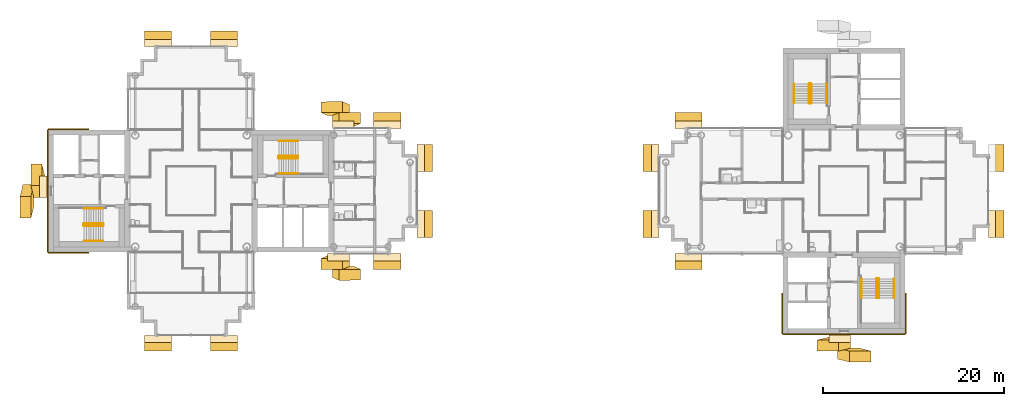
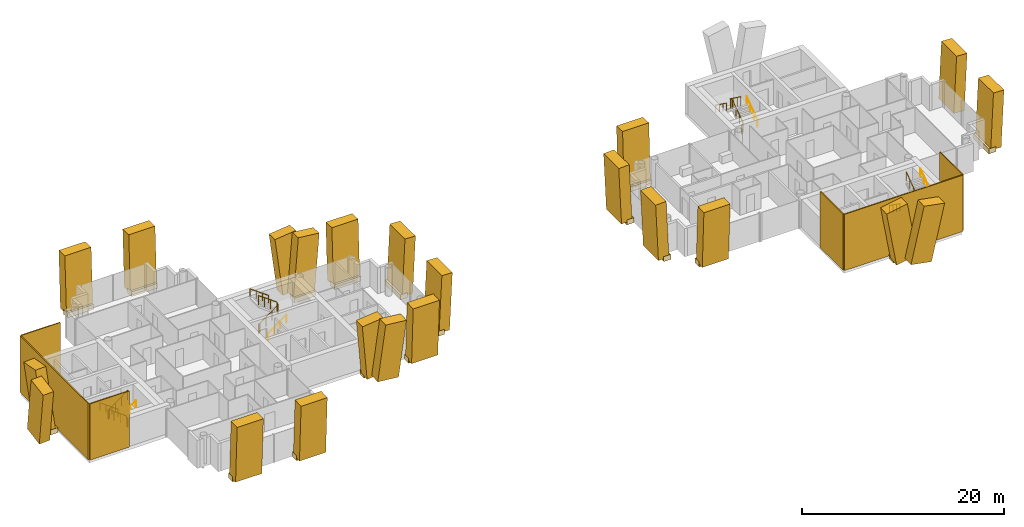
# One storey, part 16 of 18: 45 coverings, 12 railings.
"""IFC4 building model written with IfcOpenShell, lengths in metres."""

from ifc_helpers import new_model, si_unit, direction, frame, origin, origin_2d, place, context, subcontext, project, spatial, rectangle, circle, extrude, material, layer, layer_set, material_profile, profile_set, type_object, element, save


model = new_model("IFC4")

# Units and contexts
model_context = context("Model", 3, precision=1e-05, world=origin(), true_north=direction((0.0, 1.0)))
body_context = subcontext(model_context, "Body", "Model", "MODEL_VIEW")
ifc_project = project(units=[si_unit("LENGTHUNIT", "METRE"), si_unit("AREAUNIT", "SQUARE_METRE"), si_unit("VOLUMEUNIT", "CUBIC_METRE"), si_unit("PLANEANGLEUNIT", "RADIAN"), si_unit("MASSUNIT", "GRAM", prefix="KILO")], contexts=[model_context])

# Site, building, storey
site_placement = place(None, origin())
site = spatial("IfcSite", under=ifc_project, at=site_placement, CompositionType="ELEMENT")
building_placement = place(site_placement, origin())
building = spatial("IfcBuilding", under=site, at=building_placement, Name="Ipe Terrace Towers", CompositionType="ELEMENT")
storey_placement = place(building_placement, frame((0.0, 0.0, 209.60009765625)))
storey = spatial("IfcBuildingStorey", under=building, at=storey_placement, Name="L58", CompositionType="ELEMENT", Elevation=209.60009765625)

# Coverings
ifc_material_1 = material(Name="Concrete C50/60 precast, buff finish", Category="concrete")
ifc_layer = layer(ifc_material_1, 0.1201171875)
ifc_layer_set = layer_set([ifc_layer], Name="STONE CORE CLADDING 120")
covering_type_1 = type_object("IfcCoveringType", Name="STONE CORE CLADDING 120", PredefinedType="CLADDING", material=ifc_layer_set)
covering_1_placement = place(storey_placement, frame((-49.5, -6.81005859375, 0.0), z_axis=(0.0, 0.0, 1.0), x_axis=(1.0, 0.0, 0.0)))
element("IfcCovering", 1, at=covering_1_placement, inside=storey, type_object=covering_type_1, Name="stone core cladding", PredefinedType="CLADDING", context=body_context, shape_type="SweptSolid", body=[
    extrude(rectangle(XDim=4.5, YDim=0.1201171875, at=origin_2d()), origin(), (0.0, 0.0, 1.0), 6.800048828125),
])
covering_2_placement = place(storey_placement, frame((-51.81005859375, 0.0, 0.0), z_axis=(0.0, 0.0, 1.0), x_axis=(0.0, -1.0, 0.0)))
element("IfcCovering", 2, at=covering_2_placement, inside=storey, type_object=covering_type_1, Name="stone core cladding", PredefinedType="CLADDING", context=body_context, shape_type="SweptSolid", body=[
    extrude(rectangle(XDim=13.5, YDim=0.1201171875, at=origin_2d()), origin(), (0.0, 0.0, 1.0), 6.800048828125),
])
covering_3_placement = place(storey_placement, frame((-49.5, 6.81005859375, 0.0), z_axis=(0.0, 0.0, 1.0), x_axis=(-1.0, 0.0, 0.0)))
element("IfcCovering", 3, at=covering_3_placement, inside=storey, type_object=covering_type_1, Name="stone core cladding", PredefinedType="CLADDING", context=body_context, shape_type="SweptSolid", body=[
    extrude(rectangle(XDim=4.5, YDim=0.1201171875, at=origin_2d()), origin(), (0.0, 0.0, 1.0), 6.800048828125),
])
covering_4_placement = place(storey_placement, frame((36.0, -15.81005859375, 0.0), z_axis=(0.0, 0.0, 1.0), x_axis=(1.0, 0.0, 0.0)))
element("IfcCovering", 4, at=covering_4_placement, inside=storey, type_object=covering_type_1, Name="stone core cladding", PredefinedType="CLADDING", context=body_context, shape_type="SweptSolid", body=[
    extrude(rectangle(XDim=13.5, YDim=0.1201171875, at=origin_2d()), origin(), (0.0, 0.0, 1.0), 6.800048828125),
])
for number, where, z_axis, x_axis, name in (
    (5, (29.18994140625, -13.5, 0.0), (0.0, 0.0, 1.0), (0.0, -1.0, 0.0), "stone core cladding"),
    (6, (42.81005859375, -13.5, 0.0), (0.0, 0.0, 1.0), (0.0, 1.0, 0.0), "stone core cladding"),
):
    element("IfcCovering", number, at=place(storey_placement, frame(where, z_axis=z_axis, x_axis=x_axis)), inside=storey, type_object=covering_type_1, Name=name, PredefinedType="CLADDING", context=body_context, shape_type="SweptSolid", body=[
        extrude(rectangle(XDim=4.5, YDim=0.1201171875, at=origin_2d()), origin(), (0.0, 0.0, 1.0), 6.800048828125),
    ])
ifc_material_2 = material(Name="Concrete C50/60 precast, buff finish", Category="concrete")
ifc_material_profile_1 = material_profile(ifc_material_2, rectangle(XDim=2.39990234375, YDim=1.199951171875, at=origin_2d()), Name="STONE FIN 2400 x 1200")
ifc_profile_set_1 = profile_set([ifc_material_profile_1], Name="Concrete C50/60 precast, buff finish")
covering_type_2 = type_object("IfcCoveringType", Name="STONE FIN 2400 x 1200", PredefinedType="USERDEFINED", material=ifc_profile_set_1)
for number, where, z_axis, x_axis, name in (
    (7, (-19.216064453125, -8.924072265625, 0.0), (0.106482998926, -0.046572939249, 0.99322320365), (0.994314523146, 0.004987583037, -0.106366127483), "stone fin"),
    (8, (-19.216064453125, 7.72412109375, 0.0), (0.106482998926, 0.046572939249, 0.99322320365), (-0.994314523146, 0.004987583037, 0.106366127483), "stone fin"),
    (9, (-19.73388671875, -7.72412109375, 0.0), (-0.106482998926, -0.046572939249, 0.99322320365), (0.994314523146, -0.004987583037, 0.106366127483), "stone fin"),
    (10, (-19.73388671875, 8.924072265625, 0.0), (-0.106482998926, 0.046572939249, 0.99322320365), (-0.994314523146, -0.004987583037, -0.106366127483), "stone fin"),
):
    element("IfcCovering", number, at=place(storey_placement, frame(where, z_axis=z_axis, x_axis=x_axis)), inside=storey, type_object=covering_type_2, Name=name, ObjectType="FIN", PredefinedType="USERDEFINED", context=body_context, shape_type="SweptSolid", body=[
        extrude(rectangle(XDim=2.39990234375, YDim=1.199951171875, at=origin_2d()), origin(), (0.0, 0.0, 1.0), 6.84619140625),
    ])
for number, where, z_axis, x_axis, name in (
    (11, (-53.924072265625, -0.468017578125, 0.0), (-0.045983864549, -0.190237993994, 0.980660486531), (0.008910603572, -0.981738002545, -0.190029196449), "stone fin"),
    (12, (-52.72412109375, 0.468017578125, 0.0), (-0.045983864549, 0.190237993994, 0.980660486531), (-0.008910603572, -0.981738002545, 0.190029196449), "stone fin"),
    (13, (35.531982421875, -16.72412109375, 0.0), (-0.190237993994, -0.045983864549, 0.980660486531), (0.981738002545, -0.008910603572, 0.190029196449), "stone fin"),
    (14, (36.468017578125, -17.924072265625, 0.0), (0.190237993994, -0.045983864549, 0.980660486531), (0.981738002545, 0.008910603572, -0.190029196449), "stone fin"),
):
    element("IfcCovering", number, at=place(storey_placement, frame(where, z_axis=z_axis, x_axis=x_axis)), inside=storey, type_object=covering_type_2, Name=name, ObjectType="FIN", PredefinedType="USERDEFINED", context=body_context, shape_type="SweptSolid", body=[
        extrude(rectangle(XDim=2.39990234375, YDim=1.199951171875, at=origin_2d()), origin(), (0.0, 0.0, 1.0), 6.933837890625),
    ])
ifc_material_3 = material(Name="Concrete C50/60 precast, buff finish", Category="concrete")
ifc_material_profile_2 = material_profile(ifc_material_3, rectangle(XDim=3.0, YDim=1.199951171875, at=origin_2d()), Name="STONE FIN CORNER 3000 x 1200")
ifc_profile_set_2 = profile_set([ifc_material_profile_2], Name="Concrete C50/60 precast, buff finish")
covering_type_3 = type_object("IfcCoveringType", Name="STONE FIN CORNER 3000 x 1200", PredefinedType="USERDEFINED", material=ifc_profile_set_2)
for number, where, z_axis, x_axis, name in (
    (15, (-10.27587890625, -3.64990234375, 0.0), (0.046839242679, 0.0, 0.998902440354), (0.0, 1.0, 0.0), "stone fin"),
    (16, (-10.27587890625, 3.64990234375, 0.0), (0.046839242679, 0.0, 0.998902440354), (0.0, 1.0, 0.0), "stone fin"),
    (17, (-14.35009765625, -7.72412109375, 0.0), (0.0, -0.046839242679, 0.998902440354), (1.0, 0.0, 0.0), "stone fin"),
    (18, (-14.35009765625, 7.72412109375, 0.0), (0.0, 0.046839242679, 0.998902440354), (-1.0, 0.0, 0.0), "stone fin"),
    (19, (-32.35009765625, -16.72412109375, 0.0), (0.0, -0.046839242679, 0.998902440354), (1.0, 0.0, 0.0), "stone fin"),
    (20, (-32.35009765625, 16.72412109375, 0.0), (0.0, 0.046839242679, 0.998902440354), (-1.0, 0.0, 0.0), "stone fin"),
    (21, (-39.64990234375, -16.72412109375, 0.0), (0.0, -0.046839242679, 0.998902440354), (1.0, 0.0, 0.0), "stone fin"),
    (22, (-39.64990234375, 16.72412109375, 0.0), (0.0, 0.046839242679, 0.998902440354), (-1.0, 0.0, 0.0), "stone fin"),
    (23, (14.77587890625, -3.64990234375, 0.0), (-0.046839242679, 0.0, 0.998902440354), (0.0, -1.0, 0.0), "stone fin"),
    (24, (14.77587890625, 3.64990234375, 0.0), (-0.046839242679, 0.0, 0.998902440354), (0.0, -1.0, 0.0), "stone fin"),
    (25, (18.85009765625, -7.72412109375, 0.0), (0.0, -0.046839242679, 0.998902440354), (1.0, 0.0, 0.0), "stone fin"),
    (26, (18.85009765625, 7.72412109375, 0.0), (0.0, 0.046839242679, 0.998902440354), (-1.0, 0.0, 0.0), "stone fin"),
    (27, (52.72412109375, -3.64990234375, 0.0), (0.046839242679, 0.0, 0.998902440354), (0.0, 1.0, 0.0), "stone fin"),
    (28, (52.72412109375, 3.64990234375, 0.0), (0.046839242679, 0.0, 0.998902440354), (0.0, 1.0, 0.0), "stone fin"),
):
    element("IfcCovering", number, at=place(storey_placement, frame(where, z_axis=z_axis, x_axis=x_axis)), inside=storey, type_object=covering_type_3, Name=name, ObjectType="FIN", PredefinedType="USERDEFINED", context=body_context, shape_type="SweptSolid", body=[
        extrude(rectangle(XDim=3.0, YDim=1.199951171875, at=origin_2d()), origin(), (0.0, 0.0, 1.0), 6.807373046875),
    ])
ifc_material_4 = material(Name="Concrete C50/60 precast, buff finish", Category="concrete")
covering_type_4 = type_object("IfcCoveringType", Name="STONE FIN SHELF 2400 x 600", PredefinedType="CLADDING", material=ifc_material_4)
for number, where, z_axis, x_axis, name in (
    (29, (-19.216064453125, 7.320068359375, -0.35009765625), (0.0, 0.0, 1.0), (-1.0, 0.0, 0.0), "stone fin shelf"),
    (30, (-19.73388671875, -7.320068359375, -0.35009765625), (0.0, 0.0, 1.0), (1.0, 0.0, 0.0), "stone fin shelf"),
):
    element("IfcCovering", number, at=place(storey_placement, frame(where, z_axis=z_axis, x_axis=x_axis)), inside=storey, type_object=covering_type_4, Name=name, PredefinedType="CLADDING", context=body_context, shape_type="SweptSolid", body=[
        extrude(rectangle(XDim=2.39990234375, YDim=0.80810546875, at=origin_2d()), origin(), (0.0, 0.0, 1.0), 0.60009765625),
    ])
for number, where, z_axis, x_axis, name in (
    (31, (-52.2919921875, 0.468017578125, -0.35009765625), (0.0, 0.0, 1.0), (0.0, -1.0, 0.0), "stone fin shelf"),
    (32, (35.531982421875, -16.2919921875, -0.35009765625), (0.0, 0.0, 1.0), (1.0, 0.0, 0.0), "stone fin shelf"),
):
    element("IfcCovering", number, at=place(storey_placement, frame(where, z_axis=z_axis, x_axis=x_axis)), inside=storey, type_object=covering_type_4, Name=name, PredefinedType="CLADDING", context=body_context, shape_type="SweptSolid", body=[
        extrude(rectangle(XDim=2.39990234375, YDim=0.864013671875, at=origin_2d()), origin(), (0.0, 0.0, 1.0), 0.60009765625),
    ])
ifc_material_5 = material(Name="Concrete C50/60 precast, buff finish", Category="concrete")
covering_type_5 = type_object("IfcCoveringType", Name="STONE FIN SHELF 3000 x 600", PredefinedType="CLADDING", material=ifc_material_5)
for number, where, z_axis, x_axis, name in (
    (33, (-10.679931640625, -3.64990234375, -0.35009765625), (0.0, 0.0, 1.0), (0.0, 1.0, 0.0), "stone fin shelf"),
    (34, (-10.679931640625, 3.64990234375, -0.35009765625), (0.0, 0.0, 1.0), (0.0, 1.0, 0.0), "stone fin shelf"),
    (35, (-14.35009765625, -7.320068359375, -0.35009765625), (0.0, 0.0, 1.0), (1.0, 0.0, 0.0), "stone fin shelf"),
    (36, (-14.35009765625, 7.320068359375, -0.35009765625), (0.0, 0.0, 1.0), (-1.0, 0.0, 0.0), "stone fin shelf"),
    (37, (-32.35009765625, -16.320068359375, -0.35009765625), (0.0, 0.0, 1.0), (1.0, 0.0, 0.0), "stone fin shelf"),
    (38, (-32.35009765625, 16.320068359375, -0.35009765625), (0.0, 0.0, 1.0), (-1.0, 0.0, 0.0), "stone fin shelf"),
    (39, (-39.64990234375, -16.320068359375, -0.35009765625), (0.0, 0.0, 1.0), (1.0, 0.0, 0.0), "stone fin shelf"),
    (40, (-39.64990234375, 16.320068359375, -0.35009765625), (0.0, 0.0, 1.0), (-1.0, 0.0, 0.0), "stone fin shelf"),
    (41, (15.179931640625, -3.64990234375, -0.35009765625), (0.0, 0.0, 1.0), (0.0, -1.0, 0.0), "stone fin shelf"),
    (42, (15.179931640625, 3.64990234375, -0.35009765625), (0.0, 0.0, 1.0), (0.0, -1.0, 0.0), "stone fin shelf"),
    (43, (18.85009765625, -7.320068359375, -0.35009765625), (0.0, 0.0, 1.0), (1.0, 0.0, 0.0), "stone fin shelf"),
    (44, (18.85009765625, 7.320068359375, -0.35009765625), (0.0, 0.0, 1.0), (-1.0, 0.0, 0.0), "stone fin shelf"),
    (45, (52.320068359375, -3.64990234375, -0.35009765625), (0.0, 0.0, 1.0), (0.0, 1.0, 0.0), "stone fin shelf"),
):
    element("IfcCovering", number, at=place(storey_placement, frame(where, z_axis=z_axis, x_axis=x_axis)), inside=storey, type_object=covering_type_5, Name=name, PredefinedType="CLADDING", context=body_context, shape_type="SweptSolid", body=[
        extrude(rectangle(XDim=3.0, YDim=0.80810546875, at=origin_2d()), origin(), (0.0, 0.0, 1.0), 0.60009765625),
    ])

# Railings
ifc_material_6 = material(Name="Steel S355", Category="steel")
railing_type_1 = type_object("IfcRailingType", Name="Stair guard 1100", PredefinedType="GUARDRAIL", material=ifc_material_6)
railing_1_placement = place(storey_placement, frame((-26.35009765625, 3.800048828125, 0.0)))
element("IfcRailing", 46, at=railing_1_placement, inside=storey, type_object=railing_type_1, Name="L58 T1-ST1 stair guard 1", PredefinedType="GUARDRAIL", context=body_context, shape_type="SweptSolid", body=[
    extrude(circle(Radius=0.02392578125, at=origin_2d()), frame((0.0, 0.0, 1.076171875), z_axis=(0.0, -1.0, 0.0), x_axis=(1.0, 0.0, 0.0)), (0.0, 0.0, 1.0), 0.150146484375),
    extrude(circle(Radius=0.02392578125, at=origin_2d()), frame((0.0, -0.150146484375, 1.076171875), z_axis=(0.248385422981, -0.247173786771, 0.936594790069), x_axis=(0.705375805398, 0.708833529934, 0.0)), (0.0, 0.0, 1.0), 0.201416015625),
    extrude(circle(Radius=0.02392578125, at=origin_2d()), frame((0.050048828125, -0.199951171875, 1.2646484375), z_axis=(0.809023421508, 0.0, 0.587776406001), x_axis=(0.0, 1.0, 0.0)), (0.0, 0.0, 1.0), 2.571044921875),
    extrude(circle(Radius=0.02392578125, at=origin_2d()), frame((2.130126953125, -0.199951171875, 2.77587890625), z_axis=(0.708833529934, 0.705375805398, 0.0), x_axis=(-0.705375805398, 0.708833529934, 0.0)), (0.0, 0.0, 1.0), 0.070556640625),
    extrude(circle(Radius=0.02392578125, at=origin_2d()), frame((2.18017578125, -0.150146484375, 2.77587890625), z_axis=(0.0, 1.0, 0.0), x_axis=(-1.0, 0.0, 0.0)), (0.0, 0.0, 1.0), 0.150146484375),
    extrude(circle(Radius=0.02392578125, at=origin_2d()), frame((2.18017578125, 0.0, 2.77587890625), z_axis=(-0.248310886586, 0.248310886586, 0.936313733321), x_axis=(-0.707106781187, -0.707106781187, 0.0)), (0.0, 0.0, 1.0), 0.20166015625),
    extrude(circle(Radius=0.02392578125, at=origin_2d()), frame((2.130126953125, 0.050048828125, 2.96484375), z_axis=(-0.809023421508, 0.0, 0.587776406001), x_axis=(0.0, -1.0, 0.0)), (0.0, 0.0, 1.0), 2.571044921875),
    extrude(circle(Radius=0.02099609375, at=origin_2d()), origin(), (0.0, 0.0, 1.0), 1.052001953125),
    extrude(circle(Radius=0.02099609375, at=origin_2d()), frame((0.0, -0.150146484375, 0.0)), (0.0, 0.0, 1.0), 1.052001953125),
    extrude(circle(Radius=0.02099609375, at=origin_2d()), frame((0.050048828125, -0.199951171875, 0.188720703125)), (0.0, 0.0, 1.0), 1.052001953125),
    extrude(circle(Radius=0.02099609375, at=origin_2d()), frame((0.743408203125, -0.199951171875, 0.6923828125)), (0.0, 0.0, 1.0), 1.052001953125),
    extrude(circle(Radius=0.02099609375, at=origin_2d()), frame((1.436767578125, -0.199951171875, 1.1962890625)), (0.0, 0.0, 1.0), 1.052001953125),
    extrude(circle(Radius=0.02099609375, at=origin_2d()), frame((2.130126953125, -0.199951171875, 1.699951171875)), (0.0, 0.0, 1.0), 1.052001953125),
    extrude(circle(Radius=0.02099609375, at=origin_2d()), frame((2.18017578125, -0.150146484375, 1.699951171875)), (0.0, 0.0, 1.0), 1.052001953125),
    extrude(circle(Radius=0.02099609375, at=origin_2d()), frame((2.18017578125, 0.0, 1.699951171875)), (0.0, 0.0, 1.0), 1.052001953125),
    extrude(circle(Radius=0.02099609375, at=origin_2d()), frame((2.130126953125, 0.050048828125, 1.888671875)), (0.0, 0.0, 1.0), 1.052001953125),
    extrude(circle(Radius=0.02099609375, at=origin_2d()), frame((1.436767578125, 0.050048828125, 2.392333984375)), (0.0, 0.0, 1.0), 1.052001953125),
    extrude(circle(Radius=0.02099609375, at=origin_2d()), frame((0.743408203125, 0.050048828125, 2.896240234375)), (0.0, 0.0, 1.0), 1.052001953125),
    extrude(circle(Radius=0.02099609375, at=origin_2d()), frame((0.050048828125, 0.050048828125, 3.39990234375)), (0.0, 0.0, 1.0), 1.052001953125),
])
railing_2_placement = place(storey_placement, frame((-45.64990234375, -3.800048828125, 0.0)))
element("IfcRailing", 47, at=railing_2_placement, inside=storey, type_object=railing_type_1, Name="L58 T1-ST2 stair guard 1", PredefinedType="GUARDRAIL", context=body_context, shape_type="SweptSolid", body=[
    extrude(circle(Radius=0.02392578125, at=origin_2d()), frame((0.0, 0.0, 1.076171875), z_axis=(0.0, 1.0, 0.0), x_axis=(-1.0, 0.0, 0.0)), (0.0, 0.0, 1.0), 0.150146484375),
    extrude(circle(Radius=0.02392578125, at=origin_2d()), frame((0.0, 0.150146484375, 1.076171875), z_axis=(-0.248385422981, 0.247173786771, 0.936594790069), x_axis=(-0.705375805398, -0.708833529934, 0.0)), (0.0, 0.0, 1.0), 0.201416015625),
    extrude(circle(Radius=0.02392578125, at=origin_2d()), frame((-0.050048828125, 0.199951171875, 1.2646484375), z_axis=(-0.809023421508, 0.0, 0.587776406001), x_axis=(0.0, -1.0, 0.0)), (0.0, 0.0, 1.0), 2.571044921875),
    extrude(circle(Radius=0.02392578125, at=origin_2d()), frame((-2.130126953125, 0.199951171875, 2.77587890625), z_axis=(-0.708833529934, -0.705375805398, 0.0), x_axis=(0.705375805398, -0.708833529934, 0.0)), (0.0, 0.0, 1.0), 0.070556640625),
    extrude(circle(Radius=0.02392578125, at=origin_2d()), frame((-2.18017578125, 0.150146484375, 2.77587890625), z_axis=(0.0, -1.0, 0.0), x_axis=(1.0, 0.0, 0.0)), (0.0, 0.0, 1.0), 0.150146484375),
    extrude(circle(Radius=0.02392578125, at=origin_2d()), frame((-2.18017578125, 0.0, 2.77587890625), z_axis=(0.248310886586, -0.248310886586, 0.936313733321), x_axis=(0.707106781187, 0.707106781187, 0.0)), (0.0, 0.0, 1.0), 0.20166015625),
    extrude(circle(Radius=0.02392578125, at=origin_2d()), frame((-2.130126953125, -0.050048828125, 2.96484375), z_axis=(0.809023421508, 0.0, 0.587776406001), x_axis=(0.0, 1.0, 0.0)), (0.0, 0.0, 1.0), 2.571044921875),
    extrude(circle(Radius=0.02099609375, at=origin_2d()), origin(), (0.0, 0.0, 1.0), 1.052001953125),
    extrude(circle(Radius=0.02099609375, at=origin_2d()), frame((0.0, 0.150146484375, 0.0)), (0.0, 0.0, 1.0), 1.052001953125),
    extrude(circle(Radius=0.02099609375, at=origin_2d()), frame((-0.050048828125, 0.199951171875, 0.188720703125)), (0.0, 0.0, 1.0), 1.052001953125),
    extrude(circle(Radius=0.02099609375, at=origin_2d()), frame((-0.743408203125, 0.199951171875, 0.6923828125)), (0.0, 0.0, 1.0), 1.052001953125),
    extrude(circle(Radius=0.02099609375, at=origin_2d()), frame((-1.436767578125, 0.199951171875, 1.1962890625)), (0.0, 0.0, 1.0), 1.052001953125),
    extrude(circle(Radius=0.02099609375, at=origin_2d()), frame((-2.130126953125, 0.199951171875, 1.699951171875)), (0.0, 0.0, 1.0), 1.052001953125),
    extrude(circle(Radius=0.02099609375, at=origin_2d()), frame((-2.18017578125, 0.150146484375, 1.699951171875)), (0.0, 0.0, 1.0), 1.052001953125),
    extrude(circle(Radius=0.02099609375, at=origin_2d()), frame((-2.18017578125, 0.0, 1.699951171875)), (0.0, 0.0, 1.0), 1.052001953125),
    extrude(circle(Radius=0.02099609375, at=origin_2d()), frame((-2.130126953125, -0.050048828125, 1.888671875)), (0.0, 0.0, 1.0), 1.052001953125),
    extrude(circle(Radius=0.02099609375, at=origin_2d()), frame((-1.436767578125, -0.050048828125, 2.392333984375)), (0.0, 0.0, 1.0), 1.052001953125),
    extrude(circle(Radius=0.02099609375, at=origin_2d()), frame((-0.743408203125, -0.050048828125, 2.896240234375)), (0.0, 0.0, 1.0), 1.052001953125),
    extrude(circle(Radius=0.02099609375, at=origin_2d()), frame((-0.050048828125, -0.050048828125, 3.39990234375)), (0.0, 0.0, 1.0), 1.052001953125),
])
railing_3_placement = place(storey_placement, frame((32.199951171875, 9.64990234375, 0.0)))
element("IfcRailing", 48, at=railing_3_placement, inside=storey, type_object=railing_type_1, Name="L58 T2-ST1 stair guard 1", PredefinedType="GUARDRAIL", context=body_context, shape_type="SweptSolid", body=[
    extrude(circle(Radius=0.02392578125, at=origin_2d()), frame((0.0, 0.0, 1.076171875), z_axis=(1.0, 0.0, 0.0), x_axis=(0.0, 1.0, 0.0)), (0.0, 0.0, 1.0), 0.150146484375),
    extrude(circle(Radius=0.02392578125, at=origin_2d()), frame((0.150146484375, 0.0, 1.076171875), z_axis=(0.247173786771, 0.248385422981, 0.936594790069), x_axis=(-0.708833529934, 0.705375805398, 0.0)), (0.0, 0.0, 1.0), 0.201416015625),
    extrude(circle(Radius=0.02392578125, at=origin_2d()), frame((0.199951171875, 0.050048828125, 1.2646484375), z_axis=(0.0, 0.809023421508, 0.587776406001), x_axis=(-1.0, 0.0, 0.0)), (0.0, 0.0, 1.0), 2.571044921875),
    extrude(circle(Radius=0.02392578125, at=origin_2d()), frame((0.199951171875, 2.130126953125, 2.77587890625), z_axis=(-0.705375805398, 0.708833529934, 0.0), x_axis=(-0.708833529934, -0.705375805398, 0.0)), (0.0, 0.0, 1.0), 0.070556640625),
    extrude(circle(Radius=0.02392578125, at=origin_2d()), frame((0.150146484375, 2.18017578125, 2.77587890625), z_axis=(-1.0, 0.0, 0.0), x_axis=(0.0, -1.0, 0.0)), (0.0, 0.0, 1.0), 0.150146484375),
    extrude(circle(Radius=0.02392578125, at=origin_2d()), frame((0.0, 2.18017578125, 2.77587890625), z_axis=(-0.248310886586, -0.248310886586, 0.936313733321), x_axis=(0.707106781187, -0.707106781187, 0.0)), (0.0, 0.0, 1.0), 0.20166015625),
    extrude(circle(Radius=0.02392578125, at=origin_2d()), frame((-0.050048828125, 2.130126953125, 2.96484375), z_axis=(0.0, -0.809023421508, 0.587776406001), x_axis=(1.0, 0.0, 0.0)), (0.0, 0.0, 1.0), 2.571044921875),
    extrude(circle(Radius=0.02099609375, at=origin_2d()), origin(), (0.0, 0.0, 1.0), 1.052001953125),
    extrude(circle(Radius=0.02099609375, at=origin_2d()), frame((0.150146484375, 0.0, 0.0)), (0.0, 0.0, 1.0), 1.052001953125),
    extrude(circle(Radius=0.02099609375, at=origin_2d()), frame((0.199951171875, 0.050048828125, 0.188720703125)), (0.0, 0.0, 1.0), 1.052001953125),
    extrude(circle(Radius=0.02099609375, at=origin_2d()), frame((0.199951171875, 0.743408203125, 0.6923828125)), (0.0, 0.0, 1.0), 1.052001953125),
    extrude(circle(Radius=0.02099609375, at=origin_2d()), frame((0.199951171875, 1.436767578125, 1.1962890625)), (0.0, 0.0, 1.0), 1.052001953125),
    extrude(circle(Radius=0.02099609375, at=origin_2d()), frame((0.199951171875, 2.130126953125, 1.699951171875)), (0.0, 0.0, 1.0), 1.052001953125),
    extrude(circle(Radius=0.02099609375, at=origin_2d()), frame((0.150146484375, 2.18017578125, 1.699951171875)), (0.0, 0.0, 1.0), 1.052001953125),
    extrude(circle(Radius=0.02099609375, at=origin_2d()), frame((0.0, 2.18017578125, 1.699951171875)), (0.0, 0.0, 1.0), 1.052001953125),
    extrude(circle(Radius=0.02099609375, at=origin_2d()), frame((-0.050048828125, 2.130126953125, 1.888671875)), (0.0, 0.0, 1.0), 1.052001953125),
    extrude(circle(Radius=0.02099609375, at=origin_2d()), frame((-0.050048828125, 1.436767578125, 2.392333984375)), (0.0, 0.0, 1.0), 1.052001953125),
    extrude(circle(Radius=0.02099609375, at=origin_2d()), frame((-0.050048828125, 0.743408203125, 2.896240234375)), (0.0, 0.0, 1.0), 1.052001953125),
    extrude(circle(Radius=0.02099609375, at=origin_2d()), frame((-0.050048828125, 0.050048828125, 3.39990234375)), (0.0, 0.0, 1.0), 1.052001953125),
])
railing_4_placement = place(storey_placement, frame((39.800048828125, -9.64990234375, 0.0)))
element("IfcRailing", 49, at=railing_4_placement, inside=storey, type_object=railing_type_1, Name="L58 T2-ST2 stair guard 1", PredefinedType="GUARDRAIL", context=body_context, shape_type="SweptSolid", body=[
    extrude(circle(Radius=0.02392578125, at=origin_2d()), frame((0.0, 0.0, 1.076171875), z_axis=(-1.0, 0.0, 0.0), x_axis=(0.0, -1.0, 0.0)), (0.0, 0.0, 1.0), 0.150146484375),
    extrude(circle(Radius=0.02392578125, at=origin_2d()), frame((-0.150146484375, 0.0, 1.076171875), z_axis=(-0.247173786771, -0.248385422981, 0.936594790069), x_axis=(0.708833529934, -0.705375805398, 0.0)), (0.0, 0.0, 1.0), 0.201416015625),
    extrude(circle(Radius=0.02392578125, at=origin_2d()), frame((-0.199951171875, -0.050048828125, 1.2646484375), z_axis=(0.0, -0.809023421508, 0.587776406001), x_axis=(1.0, 0.0, 0.0)), (0.0, 0.0, 1.0), 2.571044921875),
    extrude(circle(Radius=0.02392578125, at=origin_2d()), frame((-0.199951171875, -2.130126953125, 2.77587890625), z_axis=(0.705375805398, -0.708833529934, 0.0), x_axis=(0.708833529934, 0.705375805398, 0.0)), (0.0, 0.0, 1.0), 0.070556640625),
    extrude(circle(Radius=0.02392578125, at=origin_2d()), frame((-0.150146484375, -2.18017578125, 2.77587890625), z_axis=(1.0, 0.0, 0.0), x_axis=(0.0, 1.0, 0.0)), (0.0, 0.0, 1.0), 0.150146484375),
    extrude(circle(Radius=0.02392578125, at=origin_2d()), frame((0.0, -2.18017578125, 2.77587890625), z_axis=(0.248310886586, 0.248310886586, 0.936313733321), x_axis=(-0.707106781187, 0.707106781187, 0.0)), (0.0, 0.0, 1.0), 0.20166015625),
    extrude(circle(Radius=0.02392578125, at=origin_2d()), frame((0.050048828125, -2.130126953125, 2.96484375), z_axis=(0.0, 0.809023421508, 0.587776406001), x_axis=(-1.0, 0.0, 0.0)), (0.0, 0.0, 1.0), 2.571044921875),
    extrude(circle(Radius=0.02099609375, at=origin_2d()), origin(), (0.0, 0.0, 1.0), 1.052001953125),
    extrude(circle(Radius=0.02099609375, at=origin_2d()), frame((-0.150146484375, 0.0, 0.0)), (0.0, 0.0, 1.0), 1.052001953125),
    extrude(circle(Radius=0.02099609375, at=origin_2d()), frame((-0.199951171875, -0.050048828125, 0.188720703125)), (0.0, 0.0, 1.0), 1.052001953125),
    extrude(circle(Radius=0.02099609375, at=origin_2d()), frame((-0.199951171875, -0.743408203125, 0.6923828125)), (0.0, 0.0, 1.0), 1.052001953125),
    extrude(circle(Radius=0.02099609375, at=origin_2d()), frame((-0.199951171875, -1.436767578125, 1.1962890625)), (0.0, 0.0, 1.0), 1.052001953125),
    extrude(circle(Radius=0.02099609375, at=origin_2d()), frame((-0.199951171875, -2.130126953125, 1.699951171875)), (0.0, 0.0, 1.0), 1.052001953125),
    extrude(circle(Radius=0.02099609375, at=origin_2d()), frame((-0.150146484375, -2.18017578125, 1.699951171875)), (0.0, 0.0, 1.0), 1.052001953125),
    extrude(circle(Radius=0.02099609375, at=origin_2d()), frame((0.0, -2.18017578125, 1.699951171875)), (0.0, 0.0, 1.0), 1.052001953125),
    extrude(circle(Radius=0.02099609375, at=origin_2d()), frame((0.050048828125, -2.130126953125, 1.888671875)), (0.0, 0.0, 1.0), 1.052001953125),
    extrude(circle(Radius=0.02099609375, at=origin_2d()), frame((0.050048828125, -1.436767578125, 2.392333984375)), (0.0, 0.0, 1.0), 1.052001953125),
    extrude(circle(Radius=0.02099609375, at=origin_2d()), frame((0.050048828125, -0.743408203125, 2.896240234375)), (0.0, 0.0, 1.0), 1.052001953125),
    extrude(circle(Radius=0.02099609375, at=origin_2d()), frame((0.050048828125, -0.050048828125, 3.39990234375)), (0.0, 0.0, 1.0), 1.052001953125),
])
ifc_material_7 = material(Name="Stainless steel grade 304", Category="steel")
railing_type_2 = type_object("IfcRailingType", Name="Stair handrail 900", PredefinedType="HANDRAIL", material=ifc_material_7)
railing_5_placement = place(storey_placement, frame((-26.300048828125, 1.949951171875, 0.188720703125)))
element("IfcRailing", 50, at=railing_5_placement, inside=storey, type_object=railing_type_2, Name="L58 T1-ST1 stair handrail 1", PredefinedType="HANDRAIL", context=body_context, shape_type="SweptSolid", body=[
    extrude(circle(Radius=0.02392578125, at=origin_2d()), frame((0.0, 0.0, 0.8759765625), z_axis=(0.809023421508, 0.0, 0.587776406001), x_axis=(0.0, 1.0, 0.0)), (0.0, 0.0, 1.0), 2.571044921875),
    extrude(circle(Radius=0.02099609375, at=origin_2d()), origin(), (0.0, 0.0, 1.0), 0.851806640625),
    extrude(circle(Radius=0.02099609375, at=origin_2d()), frame((0.693359375, 0.0, 0.503662109375)), (0.0, 0.0, 1.0), 0.851806640625),
    extrude(circle(Radius=0.02099609375, at=origin_2d()), frame((1.38671875, 0.0, 1.007568359375)), (0.0, 0.0, 1.0), 0.851806640625),
    extrude(circle(Radius=0.02099609375, at=origin_2d()), frame((2.080078125, 0.0, 1.51123046875)), (0.0, 0.0, 1.0), 0.851806640625),
])
for number, where, name in (
    (51, (-24.219970703125, 5.5, 1.888671875), "L58 T1-ST1 stair handrail 2"),
    (52, (-45.699951171875, -1.949951171875, 0.188720703125), "L58 T1-ST2 stair handrail 1"),
):
    element("IfcRailing", number, at=place(storey_placement, frame(where)), inside=storey, type_object=railing_type_2, Name=name, PredefinedType="HANDRAIL", context=body_context, shape_type="SweptSolid", body=[
        extrude(circle(Radius=0.02392578125, at=origin_2d()), frame((0.0, 0.0, 0.8759765625), z_axis=(-0.809023421508, 0.0, 0.587776406001), x_axis=(0.0, -1.0, 0.0)), (0.0, 0.0, 1.0), 2.571044921875),
        extrude(circle(Radius=0.02099609375, at=origin_2d()), origin(), (0.0, 0.0, 1.0), 0.851806640625),
        extrude(circle(Radius=0.02099609375, at=origin_2d()), frame((-0.693359375, 0.0, 0.503662109375)), (0.0, 0.0, 1.0), 0.851806640625),
        extrude(circle(Radius=0.02099609375, at=origin_2d()), frame((-1.38671875, 0.0, 1.007568359375)), (0.0, 0.0, 1.0), 0.851806640625),
        extrude(circle(Radius=0.02099609375, at=origin_2d()), frame((-2.080078125, 0.0, 1.51123046875)), (0.0, 0.0, 1.0), 0.851806640625),
    ])
railing_6_placement = place(storey_placement, frame((-47.780029296875, -5.5, 1.888671875)))
element("IfcRailing", 53, at=railing_6_placement, inside=storey, type_object=railing_type_2, Name="L58 T1-ST2 stair handrail 2", PredefinedType="HANDRAIL", context=body_context, shape_type="SweptSolid", body=[
    extrude(circle(Radius=0.02392578125, at=origin_2d()), frame((0.0, 0.0, 0.8759765625), z_axis=(0.809023421508, 0.0, 0.587776406001), x_axis=(0.0, 1.0, 0.0)), (0.0, 0.0, 1.0), 2.571044921875),
    extrude(circle(Radius=0.02099609375, at=origin_2d()), origin(), (0.0, 0.0, 1.0), 0.851806640625),
    extrude(circle(Radius=0.02099609375, at=origin_2d()), frame((0.693359375, 0.0, 0.503662109375)), (0.0, 0.0, 1.0), 0.851806640625),
    extrude(circle(Radius=0.02099609375, at=origin_2d()), frame((1.38671875, 0.0, 1.007568359375)), (0.0, 0.0, 1.0), 0.851806640625),
    extrude(circle(Radius=0.02099609375, at=origin_2d()), frame((2.080078125, 0.0, 1.51123046875)), (0.0, 0.0, 1.0), 0.851806640625),
])
railing_7_placement = place(storey_placement, frame((34.050048828125, 9.699951171875, 0.188720703125)))
element("IfcRailing", 54, at=railing_7_placement, inside=storey, type_object=railing_type_2, Name="L58 T2-ST1 stair handrail 1", PredefinedType="HANDRAIL", context=body_context, shape_type="SweptSolid", body=[
    extrude(circle(Radius=0.02392578125, at=origin_2d()), frame((0.0, 0.0, 0.8759765625), z_axis=(0.0, 0.809023421508, 0.587776406001), x_axis=(-1.0, 0.0, 0.0)), (0.0, 0.0, 1.0), 2.571044921875),
    extrude(circle(Radius=0.02099609375, at=origin_2d()), origin(), (0.0, 0.0, 1.0), 0.851806640625),
    extrude(circle(Radius=0.02099609375, at=origin_2d()), frame((0.0, 0.693359375, 0.503662109375)), (0.0, 0.0, 1.0), 0.851806640625),
    extrude(circle(Radius=0.02099609375, at=origin_2d()), frame((0.0, 1.38671875, 1.007568359375)), (0.0, 0.0, 1.0), 0.851806640625),
    extrude(circle(Radius=0.02099609375, at=origin_2d()), frame((0.0, 2.080078125, 1.51123046875)), (0.0, 0.0, 1.0), 0.851806640625),
])
for number, where, name in (
    (55, (30.5, 11.780029296875, 1.888671875), "L58 T2-ST1 stair handrail 2"),
    (56, (37.949951171875, -9.699951171875, 0.188720703125), "L58 T2-ST2 stair handrail 1"),
):
    element("IfcRailing", number, at=place(storey_placement, frame(where)), inside=storey, type_object=railing_type_2, Name=name, PredefinedType="HANDRAIL", context=body_context, shape_type="SweptSolid", body=[
        extrude(circle(Radius=0.02392578125, at=origin_2d()), frame((0.0, 0.0, 0.8759765625), z_axis=(0.0, -0.809023421508, 0.587776406001), x_axis=(1.0, 0.0, 0.0)), (0.0, 0.0, 1.0), 2.571044921875),
        extrude(circle(Radius=0.02099609375, at=origin_2d()), origin(), (0.0, 0.0, 1.0), 0.851806640625),
        extrude(circle(Radius=0.02099609375, at=origin_2d()), frame((0.0, -0.693359375, 0.503662109375)), (0.0, 0.0, 1.0), 0.851806640625),
        extrude(circle(Radius=0.02099609375, at=origin_2d()), frame((0.0, -1.38671875, 1.007568359375)), (0.0, 0.0, 1.0), 0.851806640625),
        extrude(circle(Radius=0.02099609375, at=origin_2d()), frame((0.0, -2.080078125, 1.51123046875)), (0.0, 0.0, 1.0), 0.851806640625),
    ])
railing_8_placement = place(storey_placement, frame((41.5, -11.780029296875, 1.888671875)))
element("IfcRailing", 57, at=railing_8_placement, inside=storey, type_object=railing_type_2, Name="L58 T2-ST2 stair handrail 2", PredefinedType="HANDRAIL", context=body_context, shape_type="SweptSolid", body=[
    extrude(circle(Radius=0.02392578125, at=origin_2d()), frame((0.0, 0.0, 0.8759765625), z_axis=(0.0, 0.809023421508, 0.587776406001), x_axis=(-1.0, 0.0, 0.0)), (0.0, 0.0, 1.0), 2.571044921875),
    extrude(circle(Radius=0.02099609375, at=origin_2d()), origin(), (0.0, 0.0, 1.0), 0.851806640625),
    extrude(circle(Radius=0.02099609375, at=origin_2d()), frame((0.0, 0.693359375, 0.503662109375)), (0.0, 0.0, 1.0), 0.851806640625),
    extrude(circle(Radius=0.02099609375, at=origin_2d()), frame((0.0, 1.38671875, 1.007568359375)), (0.0, 0.0, 1.0), 0.851806640625),
    extrude(circle(Radius=0.02099609375, at=origin_2d()), frame((0.0, 2.080078125, 1.51123046875)), (0.0, 0.0, 1.0), 0.851806640625),
])

save(model, "model.ifc")
